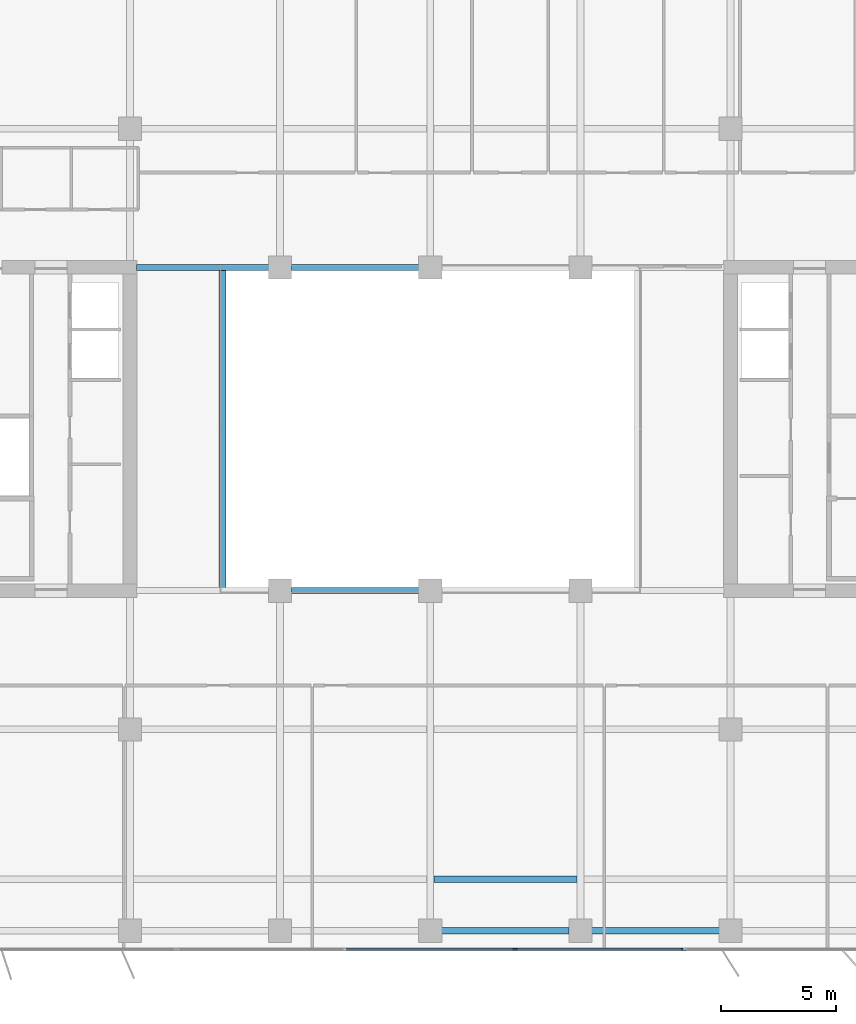
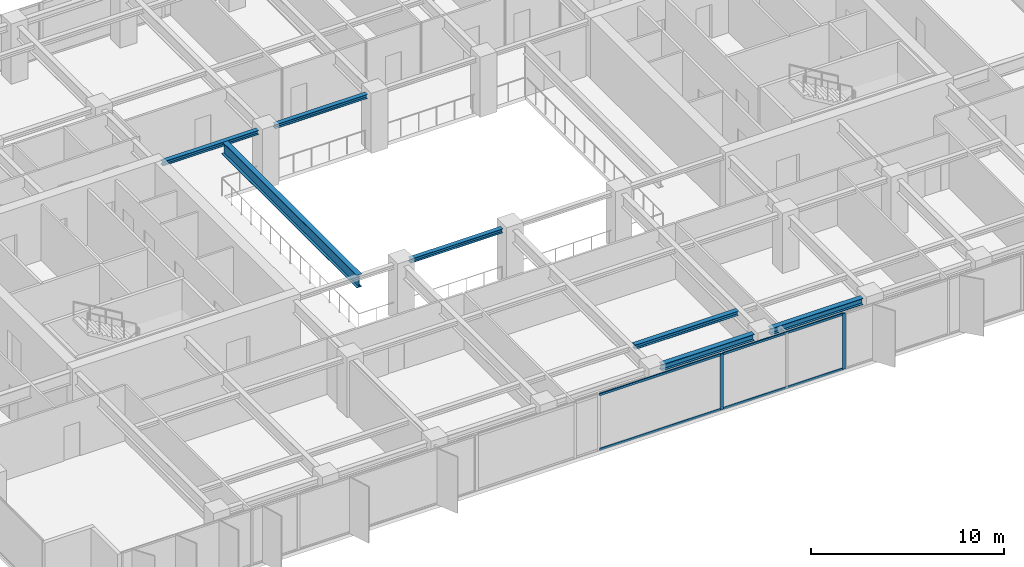
# One storey, part 5 of 22: 7 beams, 6 members, 1 element without a shape of its own.
"""IFC4 building model written with IfcOpenShell, lengths in metres."""

import ifcopenshell
import ifcopenshell.guid

model = None  # the IFC model being written
_history = None  # IfcOwnerHistory: only IFC2X3 demands one
_inside = {}  # id of a spatial element -> (the spatial element, [elements in it])
_under = {}  # id of a project, library or spatial element -> (it, [spatial elements below it])
_declared = {}  # id of a project -> (the project, [libraries it declares])
_typed = {}  # id of a type object -> (the type object, [elements of that type])
_made_of = {}  # id of a material, layer set ... -> (it, [elements and type objects made of it])


def new_model(schema):
    """Start an empty IFC model of exactly this schema.

    Asked for "IFC4X3", IfcOpenShell would pick the latest addendum, in which some entities
    have other attributes; the version numbers below select the first issue.
    IFC2X3 requires an IfcOwnerHistory on every rooted entity: one is made here for all.
    """
    global model, _history
    if schema == "IFC4X3":
        model = ifcopenshell.file(schema_version=(4, 3, 0, 0))
    else:
        model = ifcopenshell.file(schema=schema)
    _inside.clear()
    _under.clear()
    _declared.clear()
    _typed.clear()
    _made_of.clear()
    _history = None
    if model.schema == "IFC2X3":
        org = make("IfcOrganization", Name="unknown")
        user = make(
            "IfcPersonAndOrganization",
            ThePerson=make("IfcPerson", FamilyName="unknown"),
            TheOrganization=org,
        )
        app = make(
            "IfcApplication",
            ApplicationDeveloper=org,
            Version="unknown",
            ApplicationFullName="unknown",
            ApplicationIdentifier="unknown",
        )
        _history = make(
            "IfcOwnerHistory",
            OwningUser=user,
            OwningApplication=app,
            ChangeAction="ADDED",
            CreationDate=0,
        )
    return model


def make(cls, **values):
    """One entity of the class cls with the attributes given. An attribute that is None is left unset."""
    return model.create_entity(
        cls, **{name: value for name, value in values.items() if value is not None}
    )


def rooted(cls, **values):
    """An entity with a GlobalId (a new one), such as an element, a storey or a relation."""
    return make(cls, GlobalId=ifcopenshell.guid.new(), OwnerHistory=_history, **values)


def si_unit(unit_type, name, prefix=None):
    """IfcSIUnit, for example si_unit("LENGTHUNIT", "METRE", prefix="MILLI")."""
    return make("IfcSIUnit", UnitType=unit_type, Prefix=prefix, Name=name)


def assignment(units):
    """IfcUnitAssignment: the units of a project."""
    return None if units is None else make("IfcUnitAssignment", Units=units)


def point(xyz):
    """IfcCartesianPoint."""
    return None if xyz is None else make("IfcCartesianPoint", Coordinates=xyz)


def direction(xyz):
    """IfcDirection."""
    return None if xyz is None else make("IfcDirection", DirectionRatios=xyz)


def frame(location, z_axis=None, x_axis=None):
    """IfcAxis2Placement3D, a coordinate frame: its origin and axes. An axis left out is left unset."""
    return make(
        "IfcAxis2Placement3D",
        Location=point(location),
        Axis=direction(z_axis),
        RefDirection=direction(x_axis),
    )


def frame_2d(location, x_axis=None):
    """IfcAxis2Placement2D, a coordinate frame in the plane: its origin and x axis."""
    return make(
        "IfcAxis2Placement2D", Location=point(location), RefDirection=direction(x_axis)
    )


def origin():
    """The frame at (0, 0, 0) with its axes left unset."""
    return frame((0.0, 0.0, 0.0))


def origin_2d():
    """The frame at (0, 0) in the plane with its x axis left unset."""
    return frame_2d((0.0, 0.0))


def place(relative_to, where):
    """IfcLocalPlacement: puts the frame where relative to a parent placement (None: the world)."""
    return make(
        "IfcLocalPlacement", PlacementRelTo=relative_to, RelativePlacement=where
    )


def context(
    kind, dimensions, precision=None, world=None, true_north=None, identifier=None
):
    """IfcGeometricRepresentationContext, for example the 3D "Model" context."""
    return make(
        "IfcGeometricRepresentationContext",
        ContextIdentifier=identifier,
        ContextType=kind,
        CoordinateSpaceDimension=dimensions,
        Precision=precision,
        WorldCoordinateSystem=world,
        TrueNorth=true_north,
    )


def subcontext(parent, identifier, kind, view, scale=None):
    """IfcGeometricRepresentationSubContext, for example "Body" below "Model"."""
    return make(
        "IfcGeometricRepresentationSubContext",
        ContextIdentifier=identifier,
        ContextType=kind,
        ParentContext=parent,
        TargetScale=scale,
        TargetView=view,
    )


def project(units=None, contexts=None):
    """IfcProject with its units and contexts."""
    return rooted(
        "IfcProject",
        Name="project",
        RepresentationContexts=contexts,
        UnitsInContext=assignment(units),
    )


def spatial(cls, under=None, at=None, **own):
    """A site, building, storey or space (cls), placed at a placement, below another one or the project."""
    s = rooted(cls, ObjectPlacement=at, **own)
    if under is not None:
        _under.setdefault(under.id(), (under, []))[1].append(s)
    return s


def profile(cls, at=None, kind="AREA", **sizes):
    """A parametric profile (cls). Its sizes go by their IFC names, for example OverallWidth=200.0."""
    return make(cls, ProfileType=kind, Position=at, **sizes)


def rectangle(**sizes):
    """IfcRectangleProfileDef."""
    return profile("IfcRectangleProfileDef", **sizes)


def i_section(**sizes):
    """IfcIShapeProfileDef."""
    return profile("IfcIShapeProfileDef", **sizes)


def extrude(swept, where, along, depth):
    """IfcExtrudedAreaSolid: the profile swept, set in the frame where, extruded along a direction by depth."""
    return make(
        "IfcExtrudedAreaSolid",
        SweptArea=swept,
        Position=where,
        ExtrudedDirection=direction(along),
        Depth=depth,
    )


def shape(context_of_items, identifier, shape_type, items):
    """IfcShapeRepresentation: the items that make up one representation, for example the "Body"."""
    return make(
        "IfcShapeRepresentation",
        ContextOfItems=context_of_items,
        RepresentationIdentifier=identifier,
        RepresentationType=shape_type,
        Items=items,
    )


def material(Name=None, Category=None):
    """IfcMaterial."""
    return make("IfcMaterial", Name=Name, Category=Category)


def layer(
    of_material, thickness, ventilated=None, Name=None, Category=None, Priority=None
):
    """IfcMaterialLayer: one layer of a wall or slab, of a material (None: an air gap)."""
    return make(
        "IfcMaterialLayer",
        Material=of_material,
        LayerThickness=thickness,
        IsVentilated=ventilated,
        Name=Name,
        Category=Category,
        Priority=Priority,
    )


def layer_set(layers, Name=None):
    """IfcMaterialLayerSet."""
    return make("IfcMaterialLayerSet", MaterialLayers=layers, LayerSetName=Name)


def material_profile(
    of_material, cross_section, Name=None, Category=None, Priority=None
):
    """IfcMaterialProfile: a cross section and its material."""
    return make(
        "IfcMaterialProfile",
        Name=Name,
        Material=of_material,
        Profile=cross_section,
        Priority=Priority,
        Category=Category,
    )


def profile_set(profiles, Name=None, composite=None):
    """IfcMaterialProfileSet."""
    return make(
        "IfcMaterialProfileSet",
        Name=Name,
        MaterialProfiles=profiles,
        CompositeProfile=composite,
    )


def made_of(thing, what):
    """Note that an element or type object is made of a material, layer set ...; save() writes the relation."""
    if what is not None:
        _made_of.setdefault(what.id(), (what, []))[1].append(thing)
    return thing


def type_object(cls, material=None, **own):
    """A type object (cls), such as IfcWallType, which elements share."""
    return made_of(rooted(cls, **own), material)


def element(
    cls,
    number,
    at=None,
    inside=None,
    cuts=None,
    type_object=None,
    material=None,
    context=None,
    identifier="Body",
    shape_type=None,
    held_by="IfcProductDefinitionShape",
    body=None,
    shapes=None,
    **own,
):
    """One element of the class cls, such as IfcWall. Its Tag is "e" and its number.

    at: its placement. inside: the storey or other place that contains it. cuts: it is an
    opening in that element (IfcRelVoidsElement). A single representation is given by context,
    identifier, shape_type and body (its items); several are given by shapes. held_by: the class
    of the entity that holds the representations. save() writes the other relations.
    """
    e = rooted(cls, Tag="e%d" % number, ObjectPlacement=at, **own)
    if body is not None:
        shapes = [shape(context, identifier, shape_type, body)]
    if shapes is not None:
        e.Representation = make(held_by, Representations=shapes)
    if inside is not None:
        _inside.setdefault(inside.id(), (inside, []))[1].append(e)
    if cuts is not None:
        rooted(
            "IfcRelVoidsElement", RelatingBuildingElement=cuts, RelatedOpeningElement=e
        )
    if type_object is not None:
        _typed.setdefault(type_object.id(), (type_object, []))[1].append(e)
    return made_of(e, material)


def aggregate(whole, parts):
    """IfcRelAggregates: a whole, such as a stair, and the parts it consists of."""
    return rooted("IfcRelAggregates", RelatingObject=whole, RelatedObjects=parts)


def save(model, path):
    """Write the relations noted so far, then the file.

    IfcRelAggregates (storeys below a building ...), IfcRelContainedInSpatialStructure (elements
    in a storey), IfcRelDefinesByType, IfcRelAssociatesMaterial and IfcRelDeclares: one each for
    every whole, place, type object, material and project.
    """
    for whole, parts in _under.values():
        aggregate(whole, parts)
    for where, things in _inside.values():
        rooted(
            "IfcRelContainedInSpatialStructure",
            RelatedElements=things,
            RelatingStructure=where,
        )
    for kind, things in _typed.values():
        rooted("IfcRelDefinesByType", RelatedObjects=things, RelatingType=kind)
    for what, things in _made_of.values():
        rooted("IfcRelAssociatesMaterial", RelatedObjects=things, RelatingMaterial=what)
    for by, libraries in _declared.values():
        rooted("IfcRelDeclares", RelatingContext=by, RelatedDefinitions=libraries)
    model.write(path)


model = new_model("IFC4")

# Units and contexts
model_context = context("Model", 3, precision=1e-05, world=origin(), true_north=direction((0.0, 1.0)))
body_context = subcontext(model_context, "Body", "Model", "MODEL_VIEW")
ifc_project = project(units=[si_unit("LENGTHUNIT", "METRE"), si_unit("AREAUNIT", "SQUARE_METRE"), si_unit("VOLUMEUNIT", "CUBIC_METRE"), si_unit("PLANEANGLEUNIT", "RADIAN"), si_unit("MASSUNIT", "GRAM", prefix="KILO")], contexts=[model_context])

# Site, building, storey
site_placement = place(None, origin())
site = spatial("IfcSite", under=ifc_project, at=site_placement, CompositionType="ELEMENT")
building_placement = place(site_placement, origin())
building = spatial("IfcBuilding", under=site, at=building_placement, Name="Putna Gate Headquarters", CompositionType="ELEMENT")
storey_placement = place(building_placement, frame((0.0, 0.0, 193.60009765625)))
storey = spatial("IfcBuildingStorey", under=building, at=storey_placement, Name="L48", CompositionType="ELEMENT", Elevation=193.60009765625)

# Beams
ifc_material_1 = material(Name="Steel S355J2", Category="steel")
ifc_material_profile_1 = material_profile(ifc_material_1, i_section(OverallWidth=0.260009765625, OverallDepth=0.260009765625, WebThickness=0.010009765625, FlangeThickness=0.017578125, at=origin_2d()), Name="Steel S355J2")
ifc_profile_set_1 = profile_set([ifc_material_profile_1], Name="Steel S355J2")
beam_type_1 = type_object("IfcBeamType", Name="BM-ATRIUM-HEB260", PredefinedType="BEAM", material=ifc_profile_set_1)
beam_1_placement = place(storey_placement, frame((32.988037109375, 19.0, 3.389892578125), z_axis=(1.0, 0.0, 0.0), x_axis=(0.0, 1.0, 0.0)))
element("IfcBeam", 1, at=beam_1_placement, inside=storey, type_object=beam_type_1, Name="L48 Atrium Edge Beam AS2", PredefinedType="BEAM", context=body_context, shape_type="SweptSolid", body=[
    extrude(i_section(OverallWidth=0.260009765625, OverallDepth=0.260009765625, WebThickness=0.010009765625, FlangeThickness=0.017578125, at=origin_2d()), origin(), (0.0, 0.0, 1.0), 5.52392578125),
])
beam_2_placement = place(storey_placement, frame((26.284912109375, 33.0, 3.389892578125), z_axis=(1.0, 0.0, 0.0), x_axis=(0.0, 1.0, 0.0)))
element("IfcBeam", 2, at=beam_2_placement, inside=storey, type_object=beam_type_1, Name="L48 Atrium Edge Beam AN1", PredefinedType="BEAM", context=body_context, shape_type="SweptSolid", body=[
    extrude(i_section(OverallWidth=0.260009765625, OverallDepth=0.260009765625, WebThickness=0.010009765625, FlangeThickness=0.017578125, at=origin_2d()), origin(), (0.0, 0.0, 1.0), 5.72705078125),
])
beam_3_placement = place(storey_placement, frame((32.988037109375, 33.0, 3.389892578125), z_axis=(1.0, 0.0, 0.0), x_axis=(0.0, 1.0, 0.0)))
element("IfcBeam", 3, at=beam_3_placement, inside=storey, type_object=beam_type_1, Name="L48 Atrium Edge Beam AN2", PredefinedType="BEAM", context=body_context, shape_type="SweptSolid", body=[
    extrude(i_section(OverallWidth=0.260009765625, OverallDepth=0.260009765625, WebThickness=0.010009765625, FlangeThickness=0.017578125, at=origin_2d()), origin(), (0.0, 0.0, 1.0), 5.52392578125),
])
ifc_material_profile_2 = material_profile(ifc_material_1, i_section(OverallWidth=0.300048828125, OverallDepth=0.800048828125, WebThickness=0.017578125, FlangeThickness=0.032958984375, at=origin_2d()), Name="Steel S355J2")
ifc_profile_set_2 = profile_set([ifc_material_profile_2], Name="Steel S355J2")
beam_type_2 = type_object("IfcBeamType", Name="BM-GIRD-P-HEB800", PredefinedType="USERDEFINED", material=ifc_profile_set_2)
beam_4_placement = place(storey_placement, frame((30.0, 19.010009765625, 3.119873046875), z_axis=(0.0, 1.0, 0.0), x_axis=(-1.0, 0.0, 0.0)))
element("IfcBeam", 4, at=beam_4_placement, inside=storey, type_object=beam_type_2, Name="L48 Atrium Trim Girder AW", ObjectType="GIRDER", PredefinedType="USERDEFINED", context=body_context, shape_type="SweptSolid", body=[
    extrude(i_section(OverallWidth=0.300048828125, OverallDepth=0.800048828125, WebThickness=0.017578125, FlangeThickness=0.032958984375, at=origin_2d()), origin(), (0.0, 0.0, 1.0), 13.97998046875),
])
ifc_material_profile_3 = material_profile(ifc_material_1, i_section(OverallWidth=0.300048828125, OverallDepth=0.39990234375, WebThickness=0.013427734375, FlangeThickness=0.02392578125, at=origin_2d()), Name="Steel S355J2")
ifc_profile_set_3 = profile_set([ifc_material_profile_3], Name="Steel S355J2")
beam_type_3 = type_object("IfcBeamType", Name="BM-SPAN-Z3-HEB400", PredefinedType="SPANDREL", material=ifc_profile_set_3)
for number, where, z_axis, x_axis, name in (
    (5, (39.488037109375, 4.280029296875, 3.31982421875), (1.0, 0.0, 0.0), (0.0, 1.0, 0.0), "L48 S Perimeter Spandrel 5"),
    (6, (45.988037109375, 4.280029296875, 3.31982421875), (1.0, 0.0, 0.0), (0.0, 1.0, 0.0), "L48 S Perimeter Spandrel 6"),
):
    element("IfcBeam", number, at=place(storey_placement, frame(where, z_axis=z_axis, x_axis=x_axis)), inside=storey, type_object=beam_type_3, Name=name, PredefinedType="SPANDREL", context=body_context, shape_type="SweptSolid", body=[
        extrude(i_section(OverallWidth=0.300048828125, OverallDepth=0.39990234375, WebThickness=0.013427734375, FlangeThickness=0.02392578125, at=origin_2d()), origin(), (0.0, 0.0, 1.0), 5.52392578125),
    ])
ifc_material_profile_4 = material_profile(ifc_material_1, i_section(OverallWidth=0.280029296875, OverallDepth=0.280029296875, WebThickness=0.010498046875, FlangeThickness=0.01806640625, at=origin_2d()), Name="Steel S355J2")
ifc_profile_set_4 = profile_set([ifc_material_profile_4], Name="Steel S355J2")
beam_type_4 = type_object("IfcBeamType", Name="BM-SPAN-Z5-HEB280", PredefinedType="SPANDREL", material=ifc_profile_set_4)
beam_5_placement = place(storey_placement, frame((39.154052734375, 6.5, 3.3798828125), z_axis=(1.0, 0.0, 0.0), x_axis=(0.0, 1.0, 0.0)))
element("IfcBeam", 7, at=beam_5_placement, inside=storey, type_object=beam_type_4, Name="L48 South Secondary Beam 5", PredefinedType="SPANDREL", context=body_context, shape_type="SweptSolid", body=[
    extrude(i_section(OverallWidth=0.280029296875, OverallDepth=0.280029296875, WebThickness=0.010498046875, FlangeThickness=0.01806640625, at=origin_2d()), origin(), (0.0, 0.0, 1.0), 6.19189453125),
])

# Curtain wall, members
ifc_material_2 = material(Name="Anodised bronze aluminium curtain wall", Category="aluminium")
ifc_layer = layer(ifc_material_2, 0.179931640625)
ifc_layer_set = layer_set([ifc_layer], Name="Anodised bronze aluminium curtain wall")
curtain_wall_type = type_object("IfcCurtainWallType", Name="CW-SYS-ATR", PredefinedType="USERDEFINED", material=ifc_layer_set)
curtain_wall_placement = place(storey_placement, origin())
curtain_wall = element("IfcCurtainWall", 8, at=curtain_wall_placement, inside=storey, type_object=curtain_wall_type, Name="L48 South Atrium Clear Glazing", ObjectType="ATRIUM GLAZING", PredefinedType="USERDEFINED")
ifc_material_3 = material(Name="Anodised bronze aluminium EN AW-6060", Category="aluminium")
ifc_material_profile_5 = material_profile(ifc_material_3, rectangle(XDim=0.070068359375, YDim=0.179931640625, at=origin_2d()), Name="Anodised bronze aluminium EN AW-6060")
ifc_profile_set_5 = profile_set([ifc_material_profile_5], Name="Anodised bronze aluminium EN AW-6060")
member_type_1 = type_object("IfcMemberType", Name="MULL-CWM-AT", PredefinedType="MULLION", material=ifc_profile_set_5)
member_1_placement = place(storey_placement, frame((42.666748046875, 3.47998046875, 0.0), z_axis=(0.0, 0.0, 1.0), x_axis=(0.0, 1.0, 0.0)))
member_1 = element("IfcMember", 9, at=member_1_placement, type_object=member_type_1, Name="CWS-AT mullion 3", PredefinedType="MULLION", context=body_context, shape_type="SweptSolid", body=[
    extrude(rectangle(XDim=0.070068359375, YDim=0.179931640625, at=origin_2d()), origin(), (0.0, 0.0, 1.0), 3.52001953125),
])
member_2_placement = place(storey_placement, frame((49.965087890625, 3.47998046875, 0.0), z_axis=(0.0, 0.0, 1.0), x_axis=(0.0, 1.0, 0.0)))
member_2 = element("IfcMember", 10, at=member_2_placement, type_object=member_type_1, Name="CWS-AT mullion 4", PredefinedType="MULLION", context=body_context, shape_type="SweptSolid", body=[
    extrude(rectangle(XDim=0.070068359375, YDim=0.179931640625, at=origin_2d()), origin(), (0.0, 0.0, 1.0), 3.52001953125),
])
ifc_material_profile_6 = material_profile(ifc_material_3, rectangle(XDim=0.070068359375, YDim=0.139892578125, at=origin_2d()), Name="Anodised bronze aluminium EN AW-6060")
ifc_profile_set_6 = profile_set([ifc_material_profile_6], Name="Anodised bronze aluminium EN AW-6060")
member_type_2 = type_object("IfcMemberType", Name="TRAN-CWT-AT", PredefinedType="USERDEFINED", material=ifc_profile_set_6)
member_3_placement = place(storey_placement, frame((35.368408203125, 3.47998046875, 0.034912109375), z_axis=(1.0, 0.0, 0.0), x_axis=(0.0, 1.0, 0.0)))
member_3 = element("IfcMember", 11, at=member_3_placement, type_object=member_type_2, Name="CWS-AT transom 2.1", ObjectType="TRANSOM", PredefinedType="USERDEFINED", context=body_context, shape_type="SweptSolid", body=[
    extrude(rectangle(XDim=0.070068359375, YDim=0.139892578125, at=origin_2d()), origin(), (0.0, 0.0, 1.0), 7.26318359375),
])
member_4_placement = place(storey_placement, frame((35.368408203125, 3.47998046875, 3.48486328125), z_axis=(1.0, 0.0, 0.0), x_axis=(0.0, 1.0, 0.0)))
member_4 = element("IfcMember", 12, at=member_4_placement, type_object=member_type_2, Name="CWS-AT transom 2.2", ObjectType="TRANSOM", PredefinedType="USERDEFINED", context=body_context, shape_type="SweptSolid", body=[
    extrude(rectangle(XDim=0.070068359375, YDim=0.139892578125, at=origin_2d()), origin(), (0.0, 0.0, 1.0), 7.26318359375),
])
member_5_placement = place(storey_placement, frame((42.70166015625, 3.47998046875, 0.034912109375), z_axis=(1.0, 0.0, 0.0), x_axis=(0.0, 1.0, 0.0)))
member_5 = element("IfcMember", 13, at=member_5_placement, type_object=member_type_2, Name="CWS-AT transom 3.1", ObjectType="TRANSOM", PredefinedType="USERDEFINED", context=body_context, shape_type="SweptSolid", body=[
    extrude(rectangle(XDim=0.070068359375, YDim=0.139892578125, at=origin_2d()), origin(), (0.0, 0.0, 1.0), 7.228271484375),
])
member_6_placement = place(storey_placement, frame((42.70166015625, 3.47998046875, 3.48486328125), z_axis=(1.0, 0.0, 0.0), x_axis=(0.0, 1.0, 0.0)))
member_6 = element("IfcMember", 14, at=member_6_placement, type_object=member_type_2, Name="CWS-AT transom 3.2", ObjectType="TRANSOM", PredefinedType="USERDEFINED", context=body_context, shape_type="SweptSolid", body=[
    extrude(rectangle(XDim=0.070068359375, YDim=0.139892578125, at=origin_2d()), origin(), (0.0, 0.0, 1.0), 7.228271484375),
])
aggregate(curtain_wall, [member_1, member_2, member_3, member_4, member_5, member_6])

save(model, "model.ifc")
